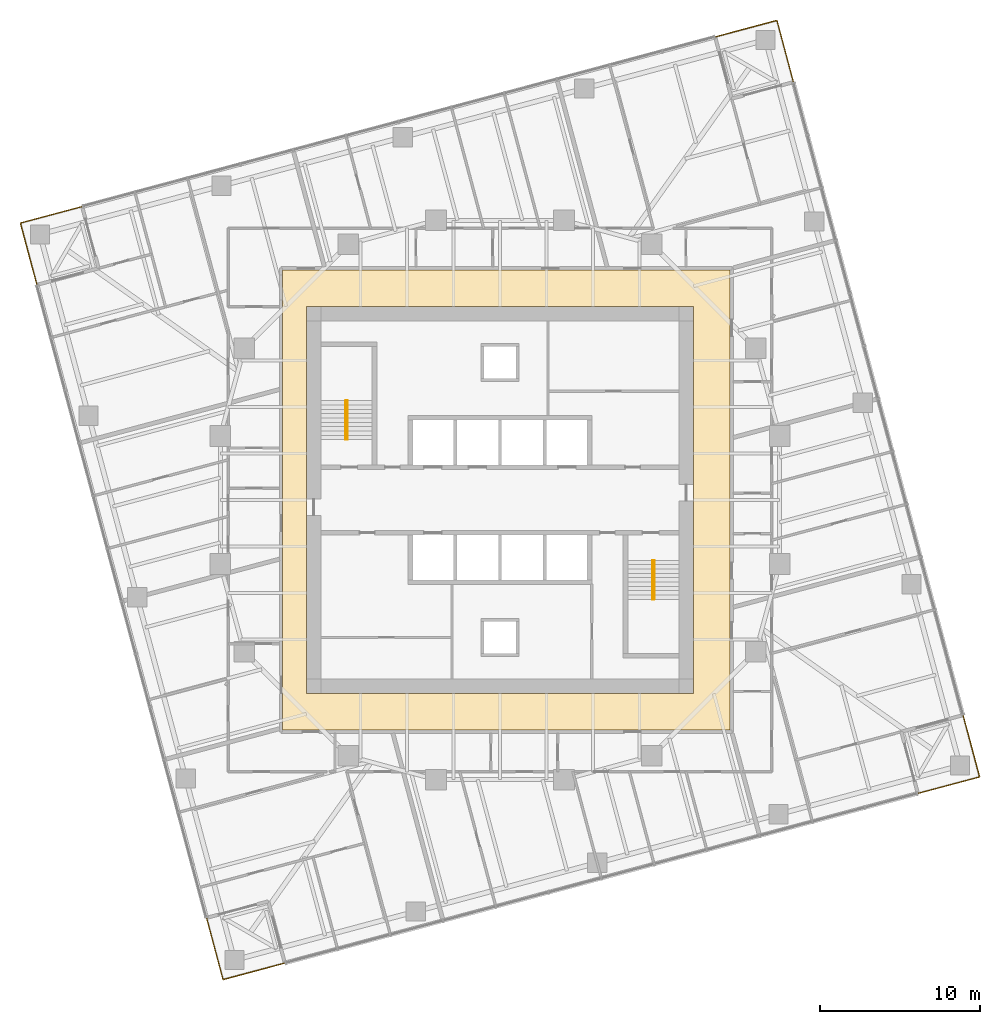
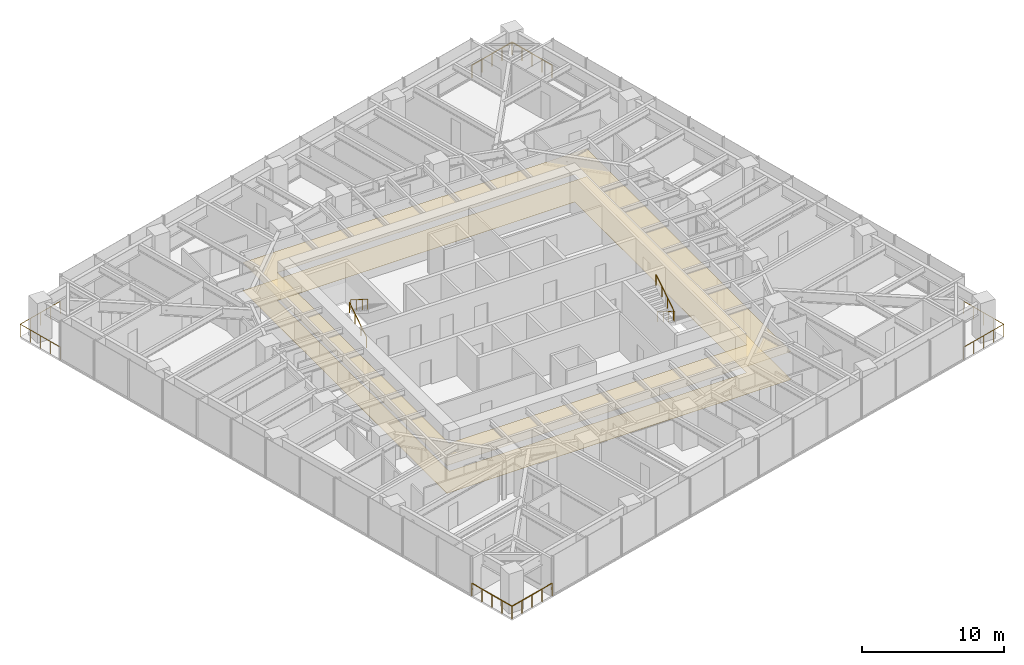
# One storey, part 14 of 14: 8 railings, 2 coverings, 2 elements without a shape of their own.
"""IFC4 building model written with IfcOpenShell, lengths in metres."""

from ifc_helpers import new_model, si_unit, direction, frame, origin, origin_2d, place, context, subcontext, project, spatial, polyline, circle, outline, extrude, material, layer, layer_set, type_object, element, aggregate, save


model = new_model("IFC4")

# Units and contexts
model_context = context("Model", 3, precision=1e-05, world=origin(), true_north=direction((0.0, 1.0)))
body_context = subcontext(model_context, "Body", "Model", "MODEL_VIEW")
ifc_project = project(units=[si_unit("LENGTHUNIT", "METRE"), si_unit("AREAUNIT", "SQUARE_METRE"), si_unit("VOLUMEUNIT", "CUBIC_METRE"), si_unit("PLANEANGLEUNIT", "RADIAN"), si_unit("MASSUNIT", "GRAM", prefix="KILO")], contexts=[model_context])

# Site, building, storey
site_placement = place(None, origin())
site = spatial("IfcSite", under=ifc_project, at=site_placement, CompositionType="ELEMENT")
building_placement = place(site_placement, origin())
building = spatial("IfcBuilding", under=site, at=building_placement, Name="Torsade Residences", CompositionType="ELEMENT")
storey_placement = place(building_placement, frame((0.0, 0.0, 111.60009765625)))
storey = spatial("IfcBuildingStorey", under=building, at=storey_placement, Name="L30", CompositionType="ELEMENT", Elevation=111.60009765625)

# Coverings
ifc_material_1 = material(Name="Nylon carpet tile on underlay", Category="textile")
ifc_layer_1 = layer(ifc_material_1, 0.010009765625)
ifc_layer_set_1 = layer_set([ifc_layer_1], Name="Nylon carpet tile on underlay")
covering_type_1 = type_object("IfcCoveringType", Name="CORRIDOR CARPET TILE 10", PredefinedType="FLOORING", material=ifc_layer_set_1)
covering_1_placement = place(storey_placement, origin())
element("IfcCovering", 1, at=covering_1_placement, inside=storey, type_object=covering_type_1, Name="Corridor carpet L30", PredefinedType="FLOORING", context=body_context, shape_type="SweptSolid", body=[
    extrude(outline(polyline([(54.39990234375, 15.60009765625), (54.39990234375, 44.39990234375), (26.39990234375, 44.39990234375), (26.39990234375, 15.60009765625), (54.39990234375, 15.60009765625)]), holes=[polyline([(52.10009765625, 42.10009765625), (27.89990234375, 42.10009765625), (27.89990234375, 17.89990234375), (52.10009765625, 17.89990234375), (52.10009765625, 42.10009765625)])]), origin(), (0.0, 0.0, 1.0), 0.010009765625),
])
ifc_material_2 = material(Name="Plasterboard on suspended steel grid", Category="steel")
ifc_layer_2 = layer(ifc_material_2, 0.012939453125)
ifc_layer_set_2 = layer_set([ifc_layer_2], Name="Plasterboard on suspended steel grid")
covering_type_2 = type_object("IfcCoveringType", Name="CORRIDOR SUSPENDED CEILING 13", PredefinedType="CEILING", material=ifc_layer_set_2)
covering_2_placement = place(storey_placement, frame((0.0, 0.0, 2.39990234375)))
element("IfcCovering", 2, at=covering_2_placement, inside=storey, type_object=covering_type_2, Name="Corridor ceiling L30", PredefinedType="CEILING", context=body_context, shape_type="SweptSolid", body=[
    extrude(outline(polyline([(54.39990234375, 15.60009765625), (54.39990234375, 44.39990234375), (26.39990234375, 44.39990234375), (26.39990234375, 15.60009765625), (54.39990234375, 15.60009765625)]), holes=[polyline([(52.10009765625, 42.10009765625), (27.89990234375, 42.10009765625), (27.89990234375, 17.89990234375), (52.10009765625, 17.89990234375), (52.10009765625, 42.10009765625)])]), origin(), (0.0, 0.0, 1.0), 0.012939453125),
])

# Stair, railings
ifc_material_3 = material(Name="Precast concrete 40 MPa", Category="concrete")
stair_type = type_object("IfcStairType", Name="HALF-TURN FIRE STAIR 1500x3400", PredefinedType="HALF_TURN_STAIR", material=ifc_material_3)
stair_1_placement = place(storey_placement, origin())
stair_1 = element("IfcStair", 3, at=stair_1_placement, inside=storey, type_object=stair_type, Name="Stair ST1 L30", PredefinedType="HALF_TURN_STAIR")
ifc_material_4 = material(Name="Steel handrail", Category="steel")
railing_type_1 = type_object("IfcRailingType", Name="STAIR HANDRAIL 900", PredefinedType="HANDRAIL", material=ifc_material_4)
railing_1_placement = place(storey_placement, frame((30.35009765625, 33.780029296875, 0.169921875)))
railing_1 = element("IfcRailing", 4, at=railing_1_placement, type_object=railing_type_1, Name="Handrail ST1 flight 1 L30", PredefinedType="HANDRAIL", context=body_context, shape_type="SweptSolid", body=[
    extrude(circle(Radius=0.02392578125, at=origin_2d()), frame((0.0, 0.0, 0.8759765625), z_axis=(0.0, 0.846221481393, 0.532831309544), x_axis=(-1.0, 0.0, 0.0)), (0.0, 0.0, 1.0), 2.87158203125),
    extrude(circle(Radius=0.02099609375, at=origin_2d()), origin(), (0.0, 0.0, 1.0), 0.851806640625),
    extrude(circle(Radius=0.02099609375, at=origin_2d()), frame((0.0, 0.81005859375, 0.510009765625)), (0.0, 0.0, 1.0), 0.851806640625),
    extrude(circle(Radius=0.02099609375, at=origin_2d()), frame((0.0, 1.619873046875, 1.02001953125)), (0.0, 0.0, 1.0), 0.851806640625),
    extrude(circle(Radius=0.02099609375, at=origin_2d()), frame((0.0, 2.429931640625, 1.530029296875)), (0.0, 0.0, 1.0), 0.851806640625),
])
railing_2_placement = place(storey_placement, frame((30.449951171875, 36.2099609375, 1.869873046875)))
railing_2 = element("IfcRailing", 5, at=railing_2_placement, type_object=railing_type_1, Name="Handrail ST1 flight 2 L30", PredefinedType="HANDRAIL", context=body_context, shape_type="SweptSolid", body=[
    extrude(circle(Radius=0.02392578125, at=origin_2d()), frame((0.0, 0.0, 0.8759765625), z_axis=(0.0, -0.846221481393, 0.532831309544), x_axis=(1.0, 0.0, 0.0)), (0.0, 0.0, 1.0), 2.87158203125),
    extrude(circle(Radius=0.02099609375, at=origin_2d()), origin(), (0.0, 0.0, 1.0), 0.851806640625),
    extrude(circle(Radius=0.02099609375, at=origin_2d()), frame((0.0, -0.81005859375, 0.510009765625)), (0.0, 0.0, 1.0), 0.851806640625),
    extrude(circle(Radius=0.02099609375, at=origin_2d()), frame((0.0, -1.619873046875, 1.02001953125)), (0.0, 0.0, 1.0), 0.851806640625),
    extrude(circle(Radius=0.02099609375, at=origin_2d()), frame((0.0, -2.429931640625, 1.530029296875)), (0.0, 0.0, 1.0), 0.851806640625),
])
aggregate(stair_1, [railing_1, railing_2])

stair_2_placement = place(storey_placement, origin())
stair_2 = element("IfcStair", 6, at=stair_2_placement, inside=storey, type_object=stair_type, Name="Stair ST2 L30", PredefinedType="HALF_TURN_STAIR")
railing_3_placement = place(storey_placement, frame((49.64990234375, 26.219970703125, 0.169921875)))
railing_3 = element("IfcRailing", 7, at=railing_3_placement, type_object=railing_type_1, Name="Handrail ST2 flight 1 L30", PredefinedType="HANDRAIL", context=body_context, shape_type="SweptSolid", body=[
    extrude(circle(Radius=0.02392578125, at=origin_2d()), frame((0.0, 0.0, 0.8759765625), z_axis=(0.0, -0.846221481393, 0.532831309544), x_axis=(1.0, 0.0, 0.0)), (0.0, 0.0, 1.0), 2.87158203125),
    extrude(circle(Radius=0.02099609375, at=origin_2d()), origin(), (0.0, 0.0, 1.0), 0.851806640625),
    extrude(circle(Radius=0.02099609375, at=origin_2d()), frame((0.0, -0.81005859375, 0.510009765625)), (0.0, 0.0, 1.0), 0.851806640625),
    extrude(circle(Radius=0.02099609375, at=origin_2d()), frame((0.0, -1.619873046875, 1.02001953125)), (0.0, 0.0, 1.0), 0.851806640625),
    extrude(circle(Radius=0.02099609375, at=origin_2d()), frame((0.0, -2.429931640625, 1.530029296875)), (0.0, 0.0, 1.0), 0.851806640625),
])
railing_4_placement = place(storey_placement, frame((49.550048828125, 23.7900390625, 1.869873046875)))
railing_4 = element("IfcRailing", 8, at=railing_4_placement, type_object=railing_type_1, Name="Handrail ST2 flight 2 L30", PredefinedType="HANDRAIL", context=body_context, shape_type="SweptSolid", body=[
    extrude(circle(Radius=0.02392578125, at=origin_2d()), frame((0.0, 0.0, 0.8759765625), z_axis=(0.0, 0.846221481393, 0.532831309544), x_axis=(-1.0, 0.0, 0.0)), (0.0, 0.0, 1.0), 2.87158203125),
    extrude(circle(Radius=0.02099609375, at=origin_2d()), origin(), (0.0, 0.0, 1.0), 0.851806640625),
    extrude(circle(Radius=0.02099609375, at=origin_2d()), frame((0.0, 0.81005859375, 0.510009765625)), (0.0, 0.0, 1.0), 0.851806640625),
    extrude(circle(Radius=0.02099609375, at=origin_2d()), frame((0.0, 1.619873046875, 1.02001953125)), (0.0, 0.0, 1.0), 0.851806640625),
    extrude(circle(Radius=0.02099609375, at=origin_2d()), frame((0.0, 2.429931640625, 1.530029296875)), (0.0, 0.0, 1.0), 0.851806640625),
])
aggregate(stair_2, [railing_3, railing_4])

# Railings
ifc_material_5 = material(Name="Laminated glass balustrade", Category="glass")
railing_type_2 = type_object("IfcRailingType", Name="TERRACE GLASS BALUSTRADE 1100", PredefinedType="BALUSTRADE", material=ifc_material_5)
railing_5_placement = place(storey_placement, frame((66.142578125, 11.640625, 0.0)))
element("IfcRailing", 9, at=railing_5_placement, inside=storey, type_object=railing_type_2, Name="Terrace balustrade SE L30", PredefinedType="BALUSTRADE", context=body_context, shape_type="SweptSolid", body=[
    extrude(circle(Radius=0.02392578125, at=origin_2d()), frame((0.0, 0.0, 1.076171875), z_axis=(0.965934430412, 0.258786931944, 0.0), x_axis=(-0.258786931944, 0.965934430412, 0.0)), (0.0, 0.0, 1.0), 4.0),
    extrude(circle(Radius=0.02392578125, at=origin_2d()), frame((3.86376953125, 1.03515625, 1.076171875), z_axis=(-0.258843877716, 0.965919172068, 0.0), x_axis=(-0.965919172068, -0.258843877716, 0.0)), (0.0, 0.0, 1.0), 4.0),
    extrude(circle(Radius=0.02099609375, at=origin_2d()), origin(), (0.0, 0.0, 1.0), 1.052001953125),
    extrude(circle(Radius=0.02099609375, at=origin_2d()), frame((0.9658203125, 0.2587890625, 0.0)), (0.0, 0.0, 1.0), 1.052001953125),
    extrude(circle(Radius=0.02099609375, at=origin_2d()), frame((1.931884765625, 0.517578125, 0.0)), (0.0, 0.0, 1.0), 1.052001953125),
    extrude(circle(Radius=0.02099609375, at=origin_2d()), frame((2.89794921875, 0.7763671875, 0.0)), (0.0, 0.0, 1.0), 1.052001953125),
    extrude(circle(Radius=0.02099609375, at=origin_2d()), frame((3.86376953125, 1.03515625, 0.0)), (0.0, 0.0, 1.0), 1.052001953125),
    extrude(circle(Radius=0.02099609375, at=origin_2d()), frame((3.60498046875, 2.0009765625, 0.0)), (0.0, 0.0, 1.0), 1.052001953125),
    extrude(circle(Radius=0.02099609375, at=origin_2d()), frame((3.34619140625, 2.967041015625, 0.0)), (0.0, 0.0, 1.0), 1.052001953125),
    extrude(circle(Radius=0.02099609375, at=origin_2d()), frame((3.087158203125, 3.93310546875, 0.0)), (0.0, 0.0, 1.0), 1.052001953125),
    extrude(circle(Radius=0.02099609375, at=origin_2d()), frame((2.828369140625, 4.89892578125, 0.0)), (0.0, 0.0, 1.0), 1.052001953125),
])
railing_6_placement = place(storey_placement, frame((58.359375, 56.142578125, 0.0)))
element("IfcRailing", 10, at=railing_6_placement, inside=storey, type_object=railing_type_2, Name="Terrace balustrade NE L30", PredefinedType="BALUSTRADE", context=body_context, shape_type="SweptSolid", body=[
    extrude(circle(Radius=0.02392578125, at=origin_2d()), frame((0.0, 0.0, 1.076171875), z_axis=(-0.258786931944, 0.965934430412, 0.0), x_axis=(-0.965934430412, -0.258786931944, 0.0)), (0.0, 0.0, 1.0), 4.0),
    extrude(circle(Radius=0.02392578125, at=origin_2d()), frame((-1.03515625, 3.86376953125, 1.076171875), z_axis=(-0.965919172068, -0.258843877716, 0.0), x_axis=(0.258843877716, -0.965919172068, 0.0)), (0.0, 0.0, 1.0), 4.0),
    extrude(circle(Radius=0.02099609375, at=origin_2d()), origin(), (0.0, 0.0, 1.0), 1.052001953125),
    extrude(circle(Radius=0.02099609375, at=origin_2d()), frame((-0.2587890625, 0.9658203125, 0.0)), (0.0, 0.0, 1.0), 1.052001953125),
    extrude(circle(Radius=0.02099609375, at=origin_2d()), frame((-0.517578125, 1.931884765625, 0.0)), (0.0, 0.0, 1.0), 1.052001953125),
    extrude(circle(Radius=0.02099609375, at=origin_2d()), frame((-0.7763671875, 2.89794921875, 0.0)), (0.0, 0.0, 1.0), 1.052001953125),
    extrude(circle(Radius=0.02099609375, at=origin_2d()), frame((-1.03515625, 3.86376953125, 0.0)), (0.0, 0.0, 1.0), 1.052001953125),
    extrude(circle(Radius=0.02099609375, at=origin_2d()), frame((-2.0009765625, 3.60498046875, 0.0)), (0.0, 0.0, 1.0), 1.052001953125),
    extrude(circle(Radius=0.02099609375, at=origin_2d()), frame((-2.967041015625, 3.34619140625, 0.0)), (0.0, 0.0, 1.0), 1.052001953125),
    extrude(circle(Radius=0.02099609375, at=origin_2d()), frame((-3.93310546875, 3.087158203125, 0.0)), (0.0, 0.0, 1.0), 1.052001953125),
    extrude(circle(Radius=0.02099609375, at=origin_2d()), frame((-4.89892578125, 2.828369140625, 0.0)), (0.0, 0.0, 1.0), 1.052001953125),
])
railing_7_placement = place(storey_placement, frame((13.857421875, 48.359375, 0.0)))
element("IfcRailing", 11, at=railing_7_placement, inside=storey, type_object=railing_type_2, Name="Terrace balustrade NW L30", PredefinedType="BALUSTRADE", context=body_context, shape_type="SweptSolid", body=[
    extrude(circle(Radius=0.02392578125, at=origin_2d()), frame((0.0, 0.0, 1.076171875), z_axis=(-0.965934430412, -0.258786931944, 0.0), x_axis=(0.258786931944, -0.965934430412, 0.0)), (0.0, 0.0, 1.0), 4.0),
    extrude(circle(Radius=0.02392578125, at=origin_2d()), frame((-3.86376953125, -1.03515625, 1.076171875), z_axis=(0.258843877716, -0.965919172068, 0.0), x_axis=(0.965919172068, 0.258843877716, 0.0)), (0.0, 0.0, 1.0), 4.0),
    extrude(circle(Radius=0.02099609375, at=origin_2d()), origin(), (0.0, 0.0, 1.0), 1.052001953125),
    extrude(circle(Radius=0.02099609375, at=origin_2d()), frame((-0.9658203125, -0.2587890625, 0.0)), (0.0, 0.0, 1.0), 1.052001953125),
    extrude(circle(Radius=0.02099609375, at=origin_2d()), frame((-1.931884765625, -0.517578125, 0.0)), (0.0, 0.0, 1.0), 1.052001953125),
    extrude(circle(Radius=0.02099609375, at=origin_2d()), frame((-2.89794921875, -0.7763671875, 0.0)), (0.0, 0.0, 1.0), 1.052001953125),
    extrude(circle(Radius=0.02099609375, at=origin_2d()), frame((-3.86376953125, -1.03515625, 0.0)), (0.0, 0.0, 1.0), 1.052001953125),
    extrude(circle(Radius=0.02099609375, at=origin_2d()), frame((-3.60498046875, -2.0009765625, 0.0)), (0.0, 0.0, 1.0), 1.052001953125),
    extrude(circle(Radius=0.02099609375, at=origin_2d()), frame((-3.34619140625, -2.967041015625, 0.0)), (0.0, 0.0, 1.0), 1.052001953125),
    extrude(circle(Radius=0.02099609375, at=origin_2d()), frame((-3.087158203125, -3.93310546875, 0.0)), (0.0, 0.0, 1.0), 1.052001953125),
    extrude(circle(Radius=0.02099609375, at=origin_2d()), frame((-2.828369140625, -4.89892578125, 0.0)), (0.0, 0.0, 1.0), 1.052001953125),
])
railing_8_placement = place(storey_placement, frame((21.640625, 3.857421875, 0.0)))
element("IfcRailing", 12, at=railing_8_placement, inside=storey, type_object=railing_type_2, Name="Terrace balustrade SW L30", PredefinedType="BALUSTRADE", context=body_context, shape_type="SweptSolid", body=[
    extrude(circle(Radius=0.02392578125, at=origin_2d()), frame((0.0, 0.0, 1.076171875), z_axis=(0.258786931944, -0.965934430412, 0.0), x_axis=(0.965934430412, 0.258786931944, 0.0)), (0.0, 0.0, 1.0), 4.0),
    extrude(circle(Radius=0.02392578125, at=origin_2d()), frame((1.03515625, -3.86376953125, 1.076171875), z_axis=(0.965919172068, 0.258843877716, 0.0), x_axis=(-0.258843877716, 0.965919172068, 0.0)), (0.0, 0.0, 1.0), 4.0),
    extrude(circle(Radius=0.02099609375, at=origin_2d()), origin(), (0.0, 0.0, 1.0), 1.052001953125),
    extrude(circle(Radius=0.02099609375, at=origin_2d()), frame((0.2587890625, -0.9658203125, 0.0)), (0.0, 0.0, 1.0), 1.052001953125),
    extrude(circle(Radius=0.02099609375, at=origin_2d()), frame((0.517578125, -1.931884765625, 0.0)), (0.0, 0.0, 1.0), 1.052001953125),
    extrude(circle(Radius=0.02099609375, at=origin_2d()), frame((0.7763671875, -2.89794921875, 0.0)), (0.0, 0.0, 1.0), 1.052001953125),
    extrude(circle(Radius=0.02099609375, at=origin_2d()), frame((1.03515625, -3.86376953125, 0.0)), (0.0, 0.0, 1.0), 1.052001953125),
    extrude(circle(Radius=0.02099609375, at=origin_2d()), frame((2.0009765625, -3.60498046875, 0.0)), (0.0, 0.0, 1.0), 1.052001953125),
    extrude(circle(Radius=0.02099609375, at=origin_2d()), frame((2.967041015625, -3.34619140625, 0.0)), (0.0, 0.0, 1.0), 1.052001953125),
    extrude(circle(Radius=0.02099609375, at=origin_2d()), frame((3.93310546875, -3.087158203125, 0.0)), (0.0, 0.0, 1.0), 1.052001953125),
    extrude(circle(Radius=0.02099609375, at=origin_2d()), frame((4.89892578125, -2.828369140625, 0.0)), (0.0, 0.0, 1.0), 1.052001953125),
])

save(model, "model.ifc")
